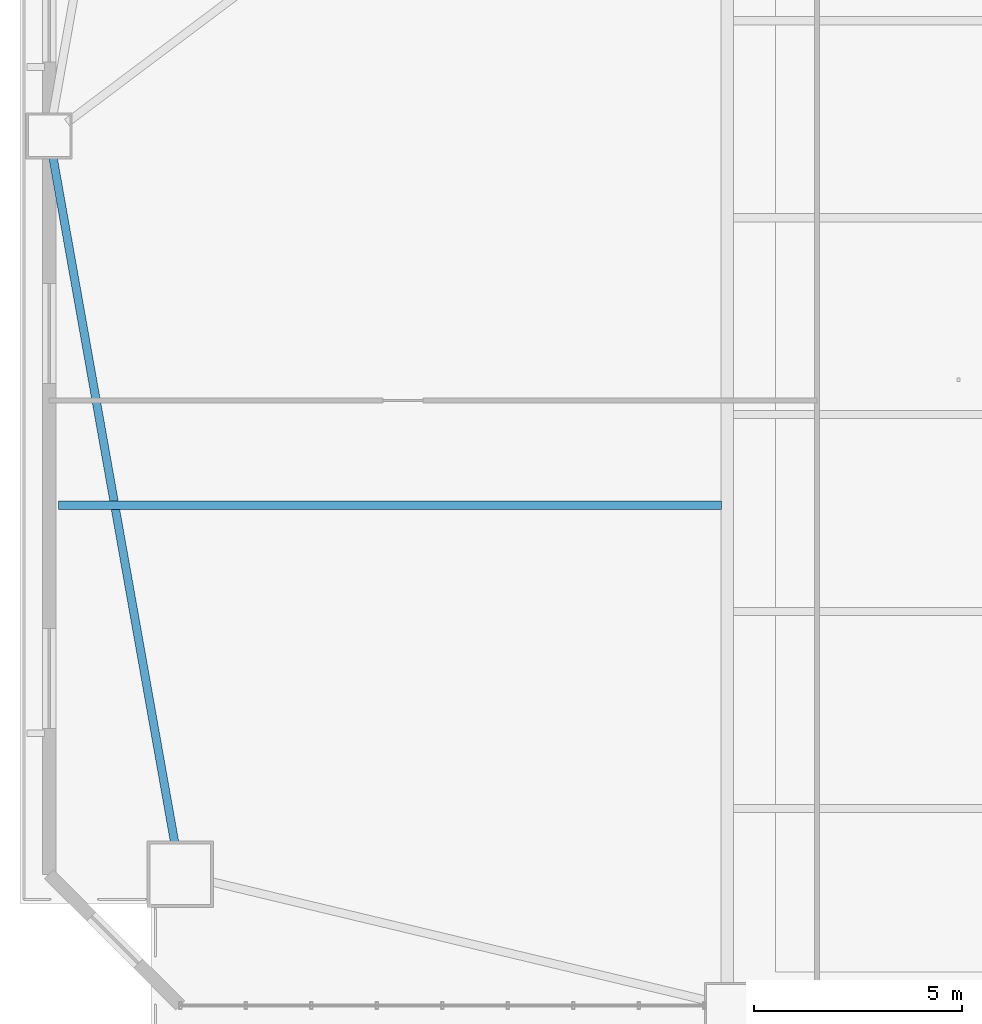
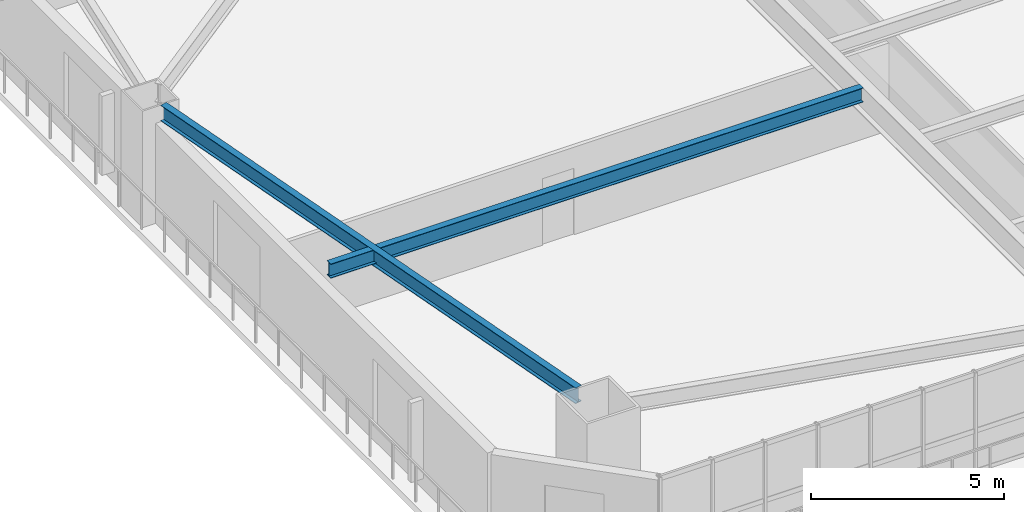
# One storey, part 3 of 17: 2 beams.
"""IFC4 building model written with IfcOpenShell, lengths in metres."""

from ifc_helpers import new_model, si_unit, direction, frame, origin, origin_2d, place, context, subcontext, project, spatial, i_section, extrude, source, transform, mapped, material, material_profile, profile_set, type_object, element, save


model = new_model("IFC4")

# Units and contexts
model_context = context("Model", 3, precision=1e-05, world=origin(), true_north=direction((0.0, 1.0)))
body_context = subcontext(model_context, "Body", "Model", "MODEL_VIEW")
ifc_project = project(units=[si_unit("LENGTHUNIT", "METRE"), si_unit("AREAUNIT", "SQUARE_METRE"), si_unit("VOLUMEUNIT", "CUBIC_METRE"), si_unit("PLANEANGLEUNIT", "RADIAN"), si_unit("MASSUNIT", "GRAM", prefix="KILO")], contexts=[model_context])

# Site, building, storey
site_placement = place(None, origin())
site = spatial("IfcSite", under=ifc_project, at=site_placement, CompositionType="ELEMENT")
building_placement = place(site_placement, origin())
building = spatial("IfcBuilding", under=site, at=building_placement, Name="Giltprow Tower", CompositionType="ELEMENT")
storey_placement = place(building_placement, frame((0.0, 0.0, 53.300048828125)))
storey = spatial("IfcBuildingStorey", under=building, at=storey_placement, Name="L13", CompositionType="ELEMENT", Elevation=53.300048828125)

# Beams
ifc_material = material(Name="Structural steel Q355B", Category="steel")
ifc_material_profile_1 = material_profile(ifc_material, i_section(OverallWidth=0.199951171875, OverallDepth=0.5, WebThickness=0.010009765625, FlangeThickness=0.01611328125, at=origin_2d()), Name="HN 500x200x10x16")
ifc_profile_set_1 = profile_set([ifc_material_profile_1], Name="Structural steel Q355B")
beam_type_1 = type_object("IfcBeamType", Name="BM-SPAN-HN500", PredefinedType="SPANDREL", material=ifc_profile_set_1)
shared_shape_1 = source(origin(), body_context, "Body", "SweptSolid", [
    extrude(i_section(OverallWidth=0.199951171875, OverallDepth=0.5, WebThickness=0.010009765625, FlangeThickness=0.01611328125, at=origin_2d()), origin(), (0.0, 0.0, 1.0), 16.68212890625),
])
beam_1_placement = place(storey_placement, frame((3.6640625, 24.699951171875, 3.429931640625), z_axis=(0.174858049152, -0.984593653568, 0.0), x_axis=(0.984593653568, 0.174858049152, 0.0)))
element("IfcBeam", 1, at=beam_1_placement, inside=storey, type_object=beam_type_1, Name="L13 Perimeter Spandrel Beam W_MID-MC_SW", PredefinedType="SPANDREL", context=body_context, shape_type="MappedRepresentation", body=[
    mapped(shared_shape_1, transform((0.0, 0.0, 0.0), x_axis=(1.0, 0.0, 0.0), y_axis=(0.0, 1.0, 0.0), z_axis=(0.0, 0.0, 1.0), scale=1.0)),
])
ifc_material_profile_2 = material_profile(ifc_material, i_section(OverallWidth=0.199951171875, OverallDepth=0.449951171875, WebThickness=0.009033203125, FlangeThickness=0.013916015625, at=origin_2d()), Name="HN 450x200x9x14")
ifc_profile_set_2 = profile_set([ifc_material_profile_2], Name="Structural steel Q355B")
beam_type_2 = type_object("IfcBeamType", Name="BM-JOIST-HN450", PredefinedType="JOIST", material=ifc_profile_set_2)
shared_shape_2 = source(origin(), body_context, "Body", "SweptSolid", [
    extrude(i_section(OverallWidth=0.199951171875, OverallDepth=0.449951171875, WebThickness=0.009033203125, FlangeThickness=0.013916015625, at=origin_2d()), origin(), (0.0, 0.0, 1.0), 15.9150390625),
])
beam_2_placement = place(storey_placement, frame((3.7900390625, 16.364013671875, 3.454833984375), z_axis=(1.0, 0.0, 0.0), x_axis=(0.0, 1.0, 0.0)))
element("IfcBeam", 2, at=beam_2_placement, inside=storey, type_object=beam_type_2, Name="L13 West Wing Floor Joist 1", PredefinedType="JOIST", context=body_context, shape_type="MappedRepresentation", body=[
    mapped(shared_shape_2, transform((0.0, 0.0, 0.0), x_axis=(1.0, 0.0, 0.0), y_axis=(0.0, 1.0, 0.0), z_axis=(0.0, 0.0, 1.0), scale=1.0)),
])

save(model, "model.ifc")
